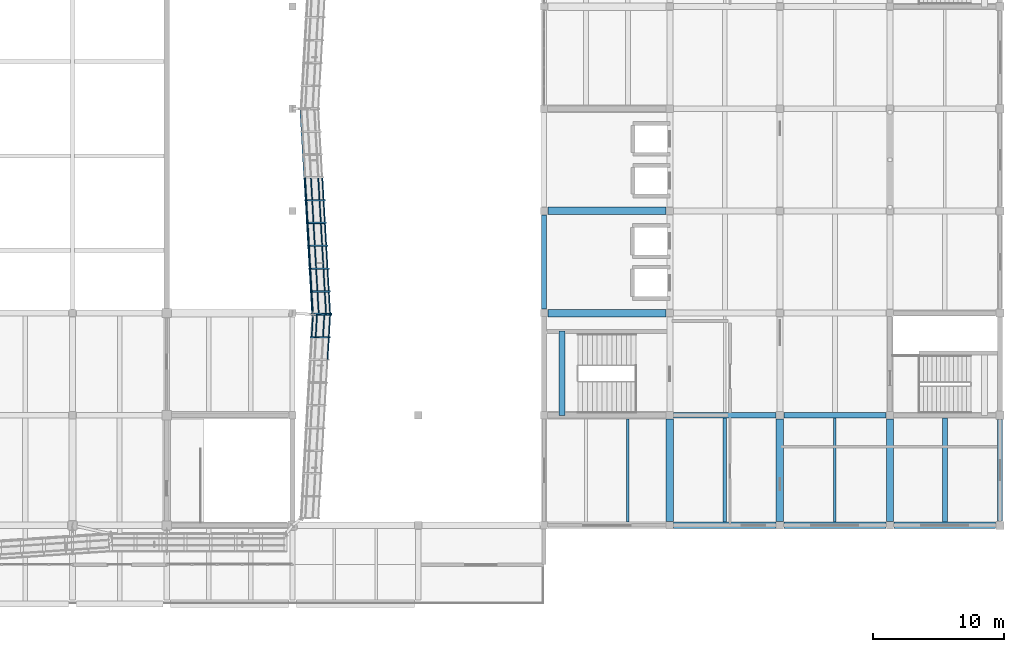
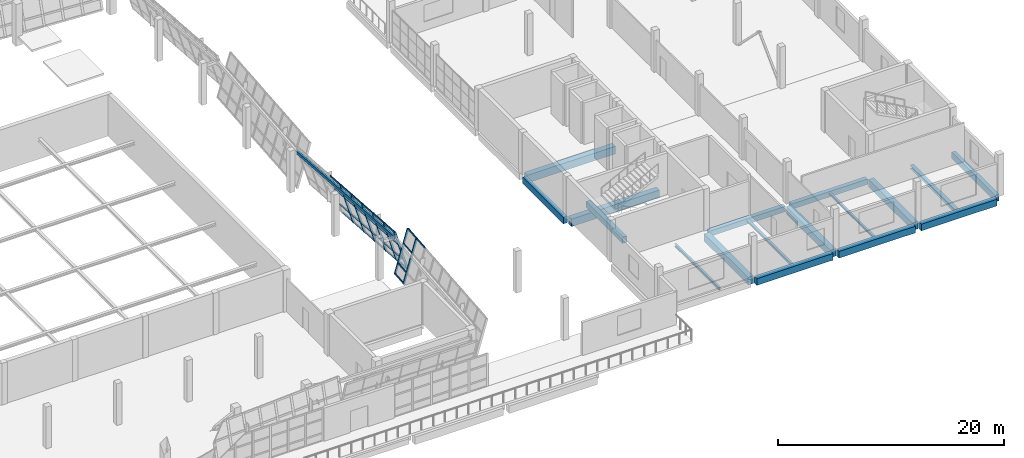
# One storey, part 19 of 67: 37 members, 18 beams, 2 elements without a shape of their own.
"""IFC4 building model written with IfcOpenShell, lengths in metres."""

from ifc_helpers import new_model, si_unit, direction, frame, origin, origin_2d, place, context, subcontext, project, spatial, rectangle, hollow_rectangle, i_section, extrude, material, material_profile, profile_set, type_object, element, aggregate, save


model = new_model("IFC4")

# Units and contexts
model_context = context("Model", 3, precision=1e-05, world=origin(), true_north=direction((0.0, 1.0)))
body_context = subcontext(model_context, "Body", "Model", "MODEL_VIEW")
ifc_project = project(units=[si_unit("LENGTHUNIT", "METRE"), si_unit("AREAUNIT", "SQUARE_METRE"), si_unit("VOLUMEUNIT", "CUBIC_METRE"), si_unit("PLANEANGLEUNIT", "RADIAN"), si_unit("MASSUNIT", "GRAM", prefix="KILO")], contexts=[model_context])

# Site, building, storey
site_placement = place(None, origin())
site = spatial("IfcSite", under=ifc_project, at=site_placement, CompositionType="ELEMENT")
building_placement = place(site_placement, origin())
building = spatial("IfcBuilding", under=site, at=building_placement, Name="Pellamere Symphony Hall", CompositionType="ELEMENT")
storey_placement = place(building_placement, frame((0.0, 0.0, 19.5)))
storey = spatial("IfcBuildingStorey", under=building, at=storey_placement, Name="L04", CompositionType="ELEMENT", Elevation=19.5)

# Curtain wall, members
ifc_material_1 = material(Name="Thermally Broken Anodised Aluminium 6063-T6 Curtain Wall", Category="aluminium")
curtain_wall_type = type_object("IfcCurtainWallType", Name="Curtain Wall CW-01 (Tilted Faceted Crystal Low-Iron Curtain Wall)", PredefinedType="NOTDEFINED", material=ifc_material_1)
curtain_wall_1_placement = place(storey_placement, origin())
curtain_wall_1 = element("IfcCurtainWall", 1, at=curtain_wall_1_placement, inside=storey, type_object=curtain_wall_type, Name="Crystal Faceted Curtain Wall CW-CR06 (L04)", PredefinedType="NOTDEFINED")
ifc_material_2 = material(Name="Anodised Architectural Aluminium 6063-T6", Category="aluminium")
ifc_material_profile_1 = material_profile(ifc_material_2, hollow_rectangle(XDim=0.074951171875, YDim=0.219970703125, WallThickness=0.0048828125, at=origin_2d()), Name="ALU-M75X220X5")
ifc_profile_set_1 = profile_set([ifc_material_profile_1], Name="Anodised Architectural Aluminium 6063-T6")
member_type_1 = type_object("IfcMemberType", Name="Curtain Wall Mullion ML-01 ALU-M75X220X5", PredefinedType="MULLION", material=ifc_profile_set_1)
member_1_placement = place(storey_placement, frame((120.25, 44.36669921875, 0.0), z_axis=(0.284024567884, 0.0, 0.95881700279), x_axis=(-0.055224537145, -0.998339941676, 0.01635883099)))
member_1 = element("IfcMember", 2, at=member_1_placement, type_object=member_type_1, Name="CW1-008 crystal mullion 9", PredefinedType="MULLION", context=body_context, shape_type="SweptSolid", body=[
    extrude(hollow_rectangle(XDim=0.074951171875, YDim=0.219970703125, WallThickness=0.0048828125, at=origin_2d()), origin(), (0.0, 0.0, 1.0), 4.693359375),
])
member_2_placement = place(storey_placement, frame((120.347900390625, 46.0625, 0.0), z_axis=(0.284024567884, 0.0, 0.95881700279), x_axis=(-0.055224537145, -0.998339941676, 0.01635883099)))
member_2 = element("IfcMember", 3, at=member_2_placement, type_object=member_type_1, Name="CW1-008 crystal mullion 10", PredefinedType="MULLION", context=body_context, shape_type="SweptSolid", body=[
    extrude(hollow_rectangle(XDim=0.074951171875, YDim=0.219970703125, WallThickness=0.0048828125, at=origin_2d()), origin(), (0.0, 0.0, 1.0), 4.693359375),
])

curtain_wall_2_placement = place(storey_placement, origin())
curtain_wall_2 = element("IfcCurtainWall", 4, at=curtain_wall_2_placement, inside=storey, type_object=curtain_wall_type, Name="Crystal Faceted Curtain Wall CW-CR07 (L04)", PredefinedType="NOTDEFINED")
member_3_placement = place(storey_placement, frame((121.680908203125, 46.137451171875, 0.0), z_axis=(-0.284024567884, 0.0, 0.95881700279), x_axis=(-0.054873944304, 0.99836096977, -0.016254976991)))
member_3 = element("IfcMember", 5, at=member_3_placement, type_object=member_type_1, Name="CW1-011 crystal mullion 1", PredefinedType="MULLION", context=body_context, shape_type="SweptSolid", body=[
    extrude(hollow_rectangle(XDim=0.074951171875, YDim=0.219970703125, WallThickness=0.0048828125, at=origin_2d()), origin(), (0.0, 0.0, 1.0), 4.693359375),
])
member_4_placement = place(storey_placement, frame((121.5830078125, 47.844482421875, 0.0), z_axis=(-0.284024567884, 0.0, 0.95881700279), x_axis=(-0.054873944304, 0.99836096977, -0.016254976991)))
member_4 = element("IfcMember", 6, at=member_4_placement, type_object=member_type_1, Name="CW1-011 crystal mullion 2", PredefinedType="MULLION", context=body_context, shape_type="SweptSolid", body=[
    extrude(hollow_rectangle(XDim=0.074951171875, YDim=0.219970703125, WallThickness=0.0048828125, at=origin_2d()), origin(), (0.0, 0.0, 1.0), 4.693359375),
])
member_5_placement = place(storey_placement, frame((121.48291015625, 49.5888671875, 0.0), z_axis=(-0.284024567884, 0.0, 0.95881700279), x_axis=(-0.054873944304, 0.99836096977, -0.016254976991)))
member_5 = element("IfcMember", 7, at=member_5_placement, type_object=member_type_1, Name="CW1-011 crystal mullion 3", PredefinedType="MULLION", context=body_context, shape_type="SweptSolid", body=[
    extrude(hollow_rectangle(XDim=0.074951171875, YDim=0.219970703125, WallThickness=0.0048828125, at=origin_2d()), origin(), (0.0, 0.0, 1.0), 4.693359375),
])
member_6_placement = place(storey_placement, frame((121.383056640625, 51.333251953125, 0.0), z_axis=(-0.284024567884, 0.0, 0.95881700279), x_axis=(-0.054873944304, 0.99836096977, -0.016254976991)))
member_6 = element("IfcMember", 8, at=member_6_placement, type_object=member_type_1, Name="CW1-011 crystal mullion 4", PredefinedType="MULLION", context=body_context, shape_type="SweptSolid", body=[
    extrude(hollow_rectangle(XDim=0.074951171875, YDim=0.219970703125, WallThickness=0.0048828125, at=origin_2d()), origin(), (0.0, 0.0, 1.0), 4.693359375),
])
member_7_placement = place(storey_placement, frame((121.282958984375, 53.077880859375, 0.0), z_axis=(-0.284024567884, 0.0, 0.95881700279), x_axis=(-0.054873944304, 0.99836096977, -0.016254976991)))
member_7 = element("IfcMember", 9, at=member_7_placement, type_object=member_type_1, Name="CW1-011 crystal mullion 5", PredefinedType="MULLION", context=body_context, shape_type="SweptSolid", body=[
    extrude(hollow_rectangle(XDim=0.074951171875, YDim=0.219970703125, WallThickness=0.0048828125, at=origin_2d()), origin(), (0.0, 0.0, 1.0), 4.693359375),
])
member_8_placement = place(storey_placement, frame((121.18310546875, 54.822265625, 0.0), z_axis=(-0.284024567884, 0.0, 0.95881700279), x_axis=(-0.054873944304, 0.99836096977, -0.016254976991)))
member_8 = element("IfcMember", 10, at=member_8_placement, type_object=member_type_1, Name="CW1-011 crystal mullion 6", PredefinedType="MULLION", context=body_context, shape_type="SweptSolid", body=[
    extrude(hollow_rectangle(XDim=0.074951171875, YDim=0.219970703125, WallThickness=0.0048828125, at=origin_2d()), origin(), (0.0, 0.0, 1.0), 4.693359375),
])

# Member
ifc_material_profile_2 = material_profile(ifc_material_2, hollow_rectangle(XDim=0.074951171875, YDim=0.179931640625, WallThickness=0.0048828125, at=origin_2d()), Name="ALU-T75X180X5")
ifc_profile_set_2 = profile_set([ifc_material_profile_2], Name="Anodised Architectural Aluminium 6063-T6")
member_type_2 = type_object("IfcMemberType", Name="Curtain Wall Transom TR-01 ALU-T75X180X5", PredefinedType="USERDEFINED", material=ifc_profile_set_2)
member_9_placement = place(storey_placement, frame((121.474609375, 42.670654296875, 4.464111328125), z_axis=(0.05745570945, 0.998348056267, 0.0), x_axis=(-0.998348056267, 0.05745570945, 0.0)))
member_9 = element("IfcMember", 11, at=member_9_placement, type_object=member_type_2, Name="CW1-008 crystal transom 8.4", ObjectType="TRANSOM", PredefinedType="USERDEFINED", context=body_context, shape_type="SweptSolid", body=[
    extrude(hollow_rectangle(XDim=0.074951171875, YDim=0.179931640625, WallThickness=0.0048828125, at=origin_2d()), origin(), (0.0, 0.0, 1.0), 1.661376953125),
])

member_10_placement = place(storey_placement, frame((120.2626953125, 44.404052734375, 0.035888671875), z_axis=(0.057734859862, 0.998331951786, 0.0), x_axis=(-0.998331951786, 0.057734859862, 0.0)))
member_10 = element("IfcMember", 12, at=member_10_placement, type_object=member_type_2, Name="CW1-008 crystal transom 9.1", ObjectType="TRANSOM", PredefinedType="USERDEFINED", context=body_context, shape_type="SweptSolid", body=[
    extrude(hollow_rectangle(XDim=0.074951171875, YDim=0.179931640625, WallThickness=0.0048828125, at=origin_2d()), origin(), (0.0, 0.0, 1.0), 1.623779296875),
])

member_11_placement = place(storey_placement, frame((120.572021484375, 44.404052734375, 1.080078125), z_axis=(0.057585007883, 0.99834060664, 0.0), x_axis=(-0.99834060664, 0.057585007883, 0.0)))
member_11 = element("IfcMember", 13, at=member_11_placement, type_object=member_type_2, Name="CW1-008 crystal transom 9.2", ObjectType="TRANSOM", PredefinedType="USERDEFINED", context=body_context, shape_type="SweptSolid", body=[
    extrude(hollow_rectangle(XDim=0.074951171875, YDim=0.179931640625, WallThickness=0.0048828125, at=origin_2d()), origin(), (0.0, 0.0, 1.0), 1.623779296875),
])

member_12_placement = place(storey_placement, frame((121.1318359375, 44.404052734375, 2.969970703125), z_axis=(0.057585007883, 0.99834060664, 0.0), x_axis=(-0.99834060664, 0.057585007883, 0.0)))
member_12 = element("IfcMember", 14, at=member_12_placement, type_object=member_type_2, Name="CW1-008 crystal transom 9.3", ObjectType="TRANSOM", PredefinedType="USERDEFINED", context=body_context, shape_type="SweptSolid", body=[
    extrude(hollow_rectangle(XDim=0.074951171875, YDim=0.179931640625, WallThickness=0.0048828125, at=origin_2d()), origin(), (0.0, 0.0, 1.0), 1.623779296875),
])

member_13_placement = place(storey_placement, frame((121.574462890625, 44.404052734375, 4.464111328125), z_axis=(0.057585007883, 0.99834060664, 0.0), x_axis=(-0.99834060664, 0.057585007883, 0.0)))
member_13 = element("IfcMember", 15, at=member_13_placement, type_object=member_type_2, Name="CW1-008 crystal transom 9.4", ObjectType="TRANSOM", PredefinedType="USERDEFINED", context=body_context, shape_type="SweptSolid", body=[
    extrude(hollow_rectangle(XDim=0.074951171875, YDim=0.179931640625, WallThickness=0.0048828125, at=origin_2d()), origin(), (0.0, 0.0, 1.0), 1.623779296875),
])

aggregate(curtain_wall_1, [member_1, member_2, member_9, member_10, member_11, member_12, member_13])

member_14_placement = place(storey_placement, frame((121.66796875, 46.1748046875, 0.035888671875), z_axis=(-0.057198647566, 0.998362817175, 0.0), x_axis=(-0.998362817175, -0.057198647566, 0.0)))
member_14 = element("IfcMember", 16, at=member_14_placement, type_object=member_type_2, Name="CW1-011 crystal transom 1.1", ObjectType="TRANSOM", PredefinedType="USERDEFINED", context=body_context, shape_type="SweptSolid", body=[
    extrude(hollow_rectangle(XDim=0.074951171875, YDim=0.179931640625, WallThickness=0.0048828125, at=origin_2d()), origin(), (0.0, 0.0, 1.0), 1.634765625),
])

member_15_placement = place(storey_placement, frame((121.35888671875, 46.1748046875, 1.080078125), z_axis=(-0.057347500779, 0.998354277877, 0.0), x_axis=(-0.998354277877, -0.057347500779, 0.0)))
member_15 = element("IfcMember", 17, at=member_15_placement, type_object=member_type_2, Name="CW1-011 crystal transom 1.2", ObjectType="TRANSOM", PredefinedType="USERDEFINED", context=body_context, shape_type="SweptSolid", body=[
    extrude(hollow_rectangle(XDim=0.074951171875, YDim=0.179931640625, WallThickness=0.0048828125, at=origin_2d()), origin(), (0.0, 0.0, 1.0), 1.634765625),
])

member_16_placement = place(storey_placement, frame((120.798828125, 46.1748046875, 2.969970703125), z_axis=(-0.057198647566, 0.998362817175, 0.0), x_axis=(-0.998362817175, -0.057198647566, 0.0)))
member_16 = element("IfcMember", 18, at=member_16_placement, type_object=member_type_2, Name="CW1-011 crystal transom 1.3", ObjectType="TRANSOM", PredefinedType="USERDEFINED", context=body_context, shape_type="SweptSolid", body=[
    extrude(hollow_rectangle(XDim=0.074951171875, YDim=0.179931640625, WallThickness=0.0048828125, at=origin_2d()), origin(), (0.0, 0.0, 1.0), 1.634765625),
])

member_17_placement = place(storey_placement, frame((120.3564453125, 46.1748046875, 4.464111328125), z_axis=(-0.057347500779, 0.998354277877, 0.0), x_axis=(-0.998354277877, -0.057347500779, 0.0)))
member_17 = element("IfcMember", 19, at=member_17_placement, type_object=member_type_2, Name="CW1-011 crystal transom 1.4", ObjectType="TRANSOM", PredefinedType="USERDEFINED", context=body_context, shape_type="SweptSolid", body=[
    extrude(hollow_rectangle(XDim=0.074951171875, YDim=0.179931640625, WallThickness=0.0048828125, at=origin_2d()), origin(), (0.0, 0.0, 1.0), 1.634765625),
])

member_18_placement = place(storey_placement, frame((121.5703125, 47.8818359375, 0.035888671875), z_axis=(-0.057224396245, 0.998361341637, 0.0), x_axis=(-0.998361341637, -0.057224396245, 0.0)))
member_18 = element("IfcMember", 20, at=member_18_placement, type_object=member_type_2, Name="CW1-011 crystal transom 2.1", ObjectType="TRANSOM", PredefinedType="USERDEFINED", context=body_context, shape_type="SweptSolid", body=[
    extrude(hollow_rectangle(XDim=0.074951171875, YDim=0.179931640625, WallThickness=0.0048828125, at=origin_2d()), origin(), (0.0, 0.0, 1.0), 1.67236328125),
])

member_19_placement = place(storey_placement, frame((121.260986328125, 47.8818359375, 1.080078125), z_axis=(-0.057224396245, 0.998361341637, 0.0), x_axis=(-0.998361341637, -0.057224396245, 0.0)))
member_19 = element("IfcMember", 21, at=member_19_placement, type_object=member_type_2, Name="CW1-011 crystal transom 2.2", ObjectType="TRANSOM", PredefinedType="USERDEFINED", context=body_context, shape_type="SweptSolid", body=[
    extrude(hollow_rectangle(XDim=0.074951171875, YDim=0.179931640625, WallThickness=0.0048828125, at=origin_2d()), origin(), (0.0, 0.0, 1.0), 1.67236328125),
])

member_20_placement = place(storey_placement, frame((120.701171875, 47.8818359375, 2.969970703125), z_axis=(-0.057224396245, 0.998361341637, 0.0), x_axis=(-0.998361341637, -0.057224396245, 0.0)))
member_20 = element("IfcMember", 22, at=member_20_placement, type_object=member_type_2, Name="CW1-011 crystal transom 2.3", ObjectType="TRANSOM", PredefinedType="USERDEFINED", context=body_context, shape_type="SweptSolid", body=[
    extrude(hollow_rectangle(XDim=0.074951171875, YDim=0.179931640625, WallThickness=0.0048828125, at=origin_2d()), origin(), (0.0, 0.0, 1.0), 1.67236328125),
])

member_21_placement = place(storey_placement, frame((120.258544921875, 47.8818359375, 4.464111328125), z_axis=(-0.057224396245, 0.998361341637, 0.0), x_axis=(-0.998361341637, -0.057224396245, 0.0)))
member_21 = element("IfcMember", 23, at=member_21_placement, type_object=member_type_2, Name="CW1-011 crystal transom 2.4", ObjectType="TRANSOM", PredefinedType="USERDEFINED", context=body_context, shape_type="SweptSolid", body=[
    extrude(hollow_rectangle(XDim=0.074951171875, YDim=0.179931640625, WallThickness=0.0048828125, at=origin_2d()), origin(), (0.0, 0.0, 1.0), 1.67236328125),
])

member_22_placement = place(storey_placement, frame((121.47021484375, 49.626220703125, 0.035888671875), z_axis=(-0.057224396245, 0.998361341637, 0.0), x_axis=(-0.998361341637, -0.057224396245, 0.0)))
member_22 = element("IfcMember", 24, at=member_22_placement, type_object=member_type_2, Name="CW1-011 crystal transom 3.1", ObjectType="TRANSOM", PredefinedType="USERDEFINED", context=body_context, shape_type="SweptSolid", body=[
    extrude(hollow_rectangle(XDim=0.074951171875, YDim=0.179931640625, WallThickness=0.0048828125, at=origin_2d()), origin(), (0.0, 0.0, 1.0), 1.67236328125),
])

member_23_placement = place(storey_placement, frame((121.160888671875, 49.626220703125, 1.080078125), z_axis=(-0.057224396245, 0.998361341637, 0.0), x_axis=(-0.998361341637, -0.057224396245, 0.0)))
member_23 = element("IfcMember", 25, at=member_23_placement, type_object=member_type_2, Name="CW1-011 crystal transom 3.2", ObjectType="TRANSOM", PredefinedType="USERDEFINED", context=body_context, shape_type="SweptSolid", body=[
    extrude(hollow_rectangle(XDim=0.074951171875, YDim=0.179931640625, WallThickness=0.0048828125, at=origin_2d()), origin(), (0.0, 0.0, 1.0), 1.67236328125),
])

member_24_placement = place(storey_placement, frame((120.60107421875, 49.626220703125, 2.969970703125), z_axis=(-0.057224396245, 0.998361341637, 0.0), x_axis=(-0.998361341637, -0.057224396245, 0.0)))
member_24 = element("IfcMember", 26, at=member_24_placement, type_object=member_type_2, Name="CW1-011 crystal transom 3.3", ObjectType="TRANSOM", PredefinedType="USERDEFINED", context=body_context, shape_type="SweptSolid", body=[
    extrude(hollow_rectangle(XDim=0.074951171875, YDim=0.179931640625, WallThickness=0.0048828125, at=origin_2d()), origin(), (0.0, 0.0, 1.0), 1.67236328125),
])

member_25_placement = place(storey_placement, frame((120.158447265625, 49.626220703125, 4.464111328125), z_axis=(-0.057224396245, 0.998361341637, 0.0), x_axis=(-0.998361341637, -0.057224396245, 0.0)))
member_25 = element("IfcMember", 27, at=member_25_placement, type_object=member_type_2, Name="CW1-011 crystal transom 3.4", ObjectType="TRANSOM", PredefinedType="USERDEFINED", context=body_context, shape_type="SweptSolid", body=[
    extrude(hollow_rectangle(XDim=0.074951171875, YDim=0.179931640625, WallThickness=0.0048828125, at=origin_2d()), origin(), (0.0, 0.0, 1.0), 1.67236328125),
])

member_26_placement = place(storey_placement, frame((121.3701171875, 51.370849609375, 0.035888671875), z_axis=(-0.057232737422, 0.998360863499, 0.0), x_axis=(-0.998360863499, -0.057232737422, 0.0)))
member_26 = element("IfcMember", 28, at=member_26_placement, type_object=member_type_2, Name="CW1-011 crystal transom 4.1", ObjectType="TRANSOM", PredefinedType="USERDEFINED", context=body_context, shape_type="SweptSolid", body=[
    extrude(hollow_rectangle(XDim=0.074951171875, YDim=0.179931640625, WallThickness=0.0048828125, at=origin_2d()), origin(), (0.0, 0.0, 1.0), 1.672119140625),
])

member_27_placement = place(storey_placement, frame((121.06103515625, 51.370849609375, 1.080078125), z_axis=(-0.057232737422, 0.998360863499, 0.0), x_axis=(-0.998360863499, -0.057232737422, 0.0)))
member_27 = element("IfcMember", 29, at=member_27_placement, type_object=member_type_2, Name="CW1-011 crystal transom 4.2", ObjectType="TRANSOM", PredefinedType="USERDEFINED", context=body_context, shape_type="SweptSolid", body=[
    extrude(hollow_rectangle(XDim=0.074951171875, YDim=0.179931640625, WallThickness=0.0048828125, at=origin_2d()), origin(), (0.0, 0.0, 1.0), 1.672119140625),
])

member_28_placement = place(storey_placement, frame((120.5009765625, 51.370849609375, 2.969970703125), z_axis=(-0.057232737422, 0.998360863499, 0.0), x_axis=(-0.998360863499, -0.057232737422, 0.0)))
member_28 = element("IfcMember", 30, at=member_28_placement, type_object=member_type_2, Name="CW1-011 crystal transom 4.3", ObjectType="TRANSOM", PredefinedType="USERDEFINED", context=body_context, shape_type="SweptSolid", body=[
    extrude(hollow_rectangle(XDim=0.074951171875, YDim=0.179931640625, WallThickness=0.0048828125, at=origin_2d()), origin(), (0.0, 0.0, 1.0), 1.672119140625),
])

member_29_placement = place(storey_placement, frame((120.05859375, 51.370849609375, 4.464111328125), z_axis=(-0.057232737422, 0.998360863499, 0.0), x_axis=(-0.998360863499, -0.057232737422, 0.0)))
member_29 = element("IfcMember", 31, at=member_29_placement, type_object=member_type_2, Name="CW1-011 crystal transom 4.4", ObjectType="TRANSOM", PredefinedType="USERDEFINED", context=body_context, shape_type="SweptSolid", body=[
    extrude(hollow_rectangle(XDim=0.074951171875, YDim=0.179931640625, WallThickness=0.0048828125, at=origin_2d()), origin(), (0.0, 0.0, 1.0), 1.672119140625),
])

member_30_placement = place(storey_placement, frame((121.270263671875, 53.115234375, 0.035888671875), z_axis=(-0.057232737422, 0.998360863499, 0.0), x_axis=(-0.998360863499, -0.057232737422, 0.0)))
member_30 = element("IfcMember", 32, at=member_30_placement, type_object=member_type_2, Name="CW1-011 crystal transom 5.1", ObjectType="TRANSOM", PredefinedType="USERDEFINED", context=body_context, shape_type="SweptSolid", body=[
    extrude(hollow_rectangle(XDim=0.074951171875, YDim=0.179931640625, WallThickness=0.0048828125, at=origin_2d()), origin(), (0.0, 0.0, 1.0), 1.672119140625),
])

member_31_placement = place(storey_placement, frame((120.9609375, 53.115234375, 1.080078125), z_axis=(-0.057232737422, 0.998360863499, 0.0), x_axis=(-0.998360863499, -0.057232737422, 0.0)))
member_31 = element("IfcMember", 33, at=member_31_placement, type_object=member_type_2, Name="CW1-011 crystal transom 5.2", ObjectType="TRANSOM", PredefinedType="USERDEFINED", context=body_context, shape_type="SweptSolid", body=[
    extrude(hollow_rectangle(XDim=0.074951171875, YDim=0.179931640625, WallThickness=0.0048828125, at=origin_2d()), origin(), (0.0, 0.0, 1.0), 1.672119140625),
])

member_32_placement = place(storey_placement, frame((120.401123046875, 53.115234375, 2.969970703125), z_axis=(-0.057232737422, 0.998360863499, 0.0), x_axis=(-0.998360863499, -0.057232737422, 0.0)))
member_32 = element("IfcMember", 34, at=member_32_placement, type_object=member_type_2, Name="CW1-011 crystal transom 5.3", ObjectType="TRANSOM", PredefinedType="USERDEFINED", context=body_context, shape_type="SweptSolid", body=[
    extrude(hollow_rectangle(XDim=0.074951171875, YDim=0.179931640625, WallThickness=0.0048828125, at=origin_2d()), origin(), (0.0, 0.0, 1.0), 1.672119140625),
])

member_33_placement = place(storey_placement, frame((119.95849609375, 53.115234375, 4.464111328125), z_axis=(-0.057232737422, 0.998360863499, 0.0), x_axis=(-0.998360863499, -0.057232737422, 0.0)))
member_33 = element("IfcMember", 35, at=member_33_placement, type_object=member_type_2, Name="CW1-011 crystal transom 5.4", ObjectType="TRANSOM", PredefinedType="USERDEFINED", context=body_context, shape_type="SweptSolid", body=[
    extrude(hollow_rectangle(XDim=0.074951171875, YDim=0.179931640625, WallThickness=0.0048828125, at=origin_2d()), origin(), (0.0, 0.0, 1.0), 1.672119140625),
])

member_34_placement = place(storey_placement, frame((121.170166015625, 54.859619140625, 0.035888671875), z_axis=(-0.057224396245, 0.998361341637, 0.0), x_axis=(-0.998361341637, -0.057224396245, 0.0)))
member_34 = element("IfcMember", 36, at=member_34_placement, type_object=member_type_2, Name="CW1-011 crystal transom 6.1", ObjectType="TRANSOM", PredefinedType="USERDEFINED", context=body_context, shape_type="SweptSolid", body=[
    extrude(hollow_rectangle(XDim=0.074951171875, YDim=0.179931640625, WallThickness=0.0048828125, at=origin_2d()), origin(), (0.0, 0.0, 1.0), 1.67236328125),
])

member_35_placement = place(storey_placement, frame((120.86083984375, 54.859619140625, 1.080078125), z_axis=(-0.057224396245, 0.998361341637, 0.0), x_axis=(-0.998361341637, -0.057224396245, 0.0)))
member_35 = element("IfcMember", 37, at=member_35_placement, type_object=member_type_2, Name="CW1-011 crystal transom 6.2", ObjectType="TRANSOM", PredefinedType="USERDEFINED", context=body_context, shape_type="SweptSolid", body=[
    extrude(hollow_rectangle(XDim=0.074951171875, YDim=0.179931640625, WallThickness=0.0048828125, at=origin_2d()), origin(), (0.0, 0.0, 1.0), 1.67236328125),
])

member_36_placement = place(storey_placement, frame((120.301025390625, 54.859619140625, 2.969970703125), z_axis=(-0.057224396245, 0.998361341637, 0.0), x_axis=(-0.998361341637, -0.057224396245, 0.0)))
member_36 = element("IfcMember", 38, at=member_36_placement, type_object=member_type_2, Name="CW1-011 crystal transom 6.3", ObjectType="TRANSOM", PredefinedType="USERDEFINED", context=body_context, shape_type="SweptSolid", body=[
    extrude(hollow_rectangle(XDim=0.074951171875, YDim=0.179931640625, WallThickness=0.0048828125, at=origin_2d()), origin(), (0.0, 0.0, 1.0), 1.67236328125),
])

member_37_placement = place(storey_placement, frame((119.8583984375, 54.859619140625, 4.464111328125), z_axis=(-0.057224396245, 0.998361341637, 0.0), x_axis=(-0.998361341637, -0.057224396245, 0.0)))
member_37 = element("IfcMember", 39, at=member_37_placement, type_object=member_type_2, Name="CW1-011 crystal transom 6.4", ObjectType="TRANSOM", PredefinedType="USERDEFINED", context=body_context, shape_type="SweptSolid", body=[
    extrude(hollow_rectangle(XDim=0.074951171875, YDim=0.179931640625, WallThickness=0.0048828125, at=origin_2d()), origin(), (0.0, 0.0, 1.0), 1.67236328125),
])

aggregate(curtain_wall_2, [member_3, member_4, member_5, member_6, member_7, member_8, member_14, member_15, member_16, member_17, member_18, member_19, member_20, member_21, member_22, member_23, member_24, member_25, member_26, member_27, member_28, member_29, member_30, member_31, member_32, member_33, member_34, member_35, member_36, member_37])

# Beams
ifc_material_3 = material(Name="Concrete 40 MPa", Category="concrete")
ifc_material_profile_3 = material_profile(ifc_material_3, rectangle(XDim=0.550048828125, YDim=0.800048828125, at=origin_2d()), Name="RC 550x800")
ifc_profile_set_3 = profile_set([ifc_material_profile_3], Name="Concrete 40 MPa")
beam_type_1 = type_object("IfcBeamType", Name="RC CB-05 550x800", PredefinedType="BEAM", material=ifc_profile_set_3)
for number, where, z_axis, x_axis, name in (
    (40, (147.60009765625, 30.300048828125, -0.659912109375), (0.0, 1.0, 0.0), (-1.0, 0.0, 0.0), "Girder CB-05-Y1916 (L04)"),
    (41, (156.0, 30.300048828125, -0.659912109375), (0.0, 1.0, 0.0), (-1.0, 0.0, 0.0), "Girder CB-05-Y1923 (L04)"),
    (42, (164.39990234375, 30.300048828125, -0.659912109375), (0.0, 1.0, 0.0), (-1.0, 0.0, 0.0), "Girder CB-05-Y1930 (L04)"),
):
    element("IfcBeam", number, at=place(storey_placement, frame(where, z_axis=z_axis, x_axis=x_axis)), inside=storey, type_object=beam_type_1, Name=name, PredefinedType="BEAM", context=body_context, shape_type="SweptSolid", body=[
        extrude(rectangle(XDim=0.550048828125, YDim=0.800048828125, at=origin_2d()), origin(), (0.0, 0.0, 1.0), 7.800048828125),
    ])
ifc_material_profile_4 = material_profile(ifc_material_3, rectangle(XDim=0.449951171875, YDim=0.64990234375, at=origin_2d()), Name="RC 450x650")
ifc_profile_set_4 = profile_set([ifc_material_profile_4], Name="Concrete 40 MPa")
beam_type_2 = type_object("IfcBeamType", Name="RC CB-08 450x650", PredefinedType="BEAM", material=ifc_profile_set_4)
beam_1_placement = place(storey_placement, frame((139.367431640625, 38.3798828125, 1.705078125), z_axis=(0.0, 1.0, 0.0), x_axis=(-1.0, 0.0, 0.0)))
element("IfcBeam", 43, at=beam_1_placement, inside=storey, type_object=beam_type_2, Name="Stair ST02-L04 Half Landing Support Beam (L04)", PredefinedType="BEAM", context=body_context, shape_type="SweptSolid", body=[
    extrude(rectangle(XDim=0.449951171875, YDim=0.64990234375, at=origin_2d()), origin(), (0.0, 0.0, 1.0), 6.440185546875),
])
ifc_material_profile_5 = material_profile(ifc_material_3, rectangle(XDim=0.39990234375, YDim=0.699951171875, at=origin_2d()), Name="RC 400x700")
ifc_profile_set_5 = profile_set([ifc_material_profile_5], Name="Concrete 40 MPa")
beam_type_3 = type_object("IfcBeamType", Name="RC CB-13 400x700", PredefinedType="SPANDREL", material=ifc_profile_set_5)
beam_2_placement = place(storey_placement, frame((138.0, 46.5, -0.610107421875), z_axis=(0.0, 1.0, 0.0), x_axis=(-1.0, 0.0, 0.0)))
element("IfcBeam", 44, at=beam_2_placement, inside=storey, type_object=beam_type_3, Name="Girder CB-13-Y1911 (L04)", PredefinedType="SPANDREL", context=body_context, shape_type="SweptSolid", body=[
    extrude(rectangle(XDim=0.39990234375, YDim=0.699951171875, at=origin_2d()), origin(), (0.0, 0.0, 1.0), 7.199951171875),
])
beam_3_placement = place(storey_placement, frame((172.800048828125, 30.340087890625, -0.610107421875), z_axis=(0.0, 1.0, 0.0), x_axis=(-1.0, 0.0, 0.0)))
element("IfcBeam", 45, at=beam_3_placement, inside=storey, type_object=beam_type_3, Name="Girder CB-13-Y1937 (L04)", PredefinedType="SPANDREL", context=body_context, shape_type="SweptSolid", body=[
    extrude(rectangle(XDim=0.39990234375, YDim=0.699951171875, at=origin_2d()), origin(), (0.0, 0.0, 1.0), 7.719970703125),
])
ifc_material_profile_6 = material_profile(ifc_material_3, rectangle(XDim=0.47998046875, YDim=0.719970703125, at=origin_2d()), Name="RC 480x720")
ifc_profile_set_6 = profile_set([ifc_material_profile_6], Name="Concrete 40 MPa")
beam_type_4 = type_object("IfcBeamType", Name="RC CB-14 480x720", PredefinedType="SPANDREL", material=ifc_profile_set_6)
for number, where, z_axis, x_axis, name in (
    (46, (147.89990234375, 30.0, -0.6201171875), (1.0, 0.0, 0.0), (0.0, 1.0, 0.0), "Girder CB-14-X1815 (L04)"),
    (47, (156.300048828125, 30.0, -0.6201171875), (1.0, 0.0, 0.0), (0.0, 1.0, 0.0), "Girder CB-14-X1816 (L04)"),
):
    element("IfcBeam", number, at=place(storey_placement, frame(where, z_axis=z_axis, x_axis=x_axis)), inside=storey, type_object=beam_type_4, Name=name, PredefinedType="SPANDREL", context=body_context, shape_type="SweptSolid", body=[
        extrude(rectangle(XDim=0.47998046875, YDim=0.719970703125, at=origin_2d()), origin(), (0.0, 0.0, 1.0), 7.800048828125),
    ])
beam_4_placement = place(storey_placement, frame((164.699951171875, 30.0, -0.6201171875), z_axis=(1.0, 0.0, 0.0), x_axis=(0.0, 1.0, 0.0)))
element("IfcBeam", 48, at=beam_4_placement, inside=storey, type_object=beam_type_4, Name="Girder CB-14-X1817 (L04)", PredefinedType="SPANDREL", context=body_context, shape_type="SweptSolid", body=[
    extrude(rectangle(XDim=0.47998046875, YDim=0.719970703125, at=origin_2d()), origin(), (0.0, 0.0, 1.0), 7.760009765625),
])
ifc_material_profile_7 = material_profile(ifc_material_3, rectangle(XDim=0.580078125, YDim=0.820068359375, at=origin_2d()), Name="RC 580x820")
ifc_profile_set_7 = profile_set([ifc_material_profile_7], Name="Concrete 40 MPa")
beam_type_5 = type_object("IfcBeamType", Name="RC CB-15 580x820", PredefinedType="BEAM", material=ifc_profile_set_7)
for number, where, z_axis, x_axis, name in (
    (49, (138.300048828125, 46.199951171875, -0.669921875), (1.0, 0.0, 0.0), (0.0, 1.0, 0.0), "Girder CB-15-X1840 (L04)"),
    (50, (138.300048828125, 54.0, -0.669921875), (1.0, 0.0, 0.0), (0.0, 1.0, 0.0), "Girder CB-15-X1845 (L04)"),
):
    element("IfcBeam", number, at=place(storey_placement, frame(where, z_axis=z_axis, x_axis=x_axis)), inside=storey, type_object=beam_type_5, Name=name, PredefinedType="BEAM", context=body_context, shape_type="SweptSolid", body=[
        extrude(rectangle(XDim=0.580078125, YDim=0.820068359375, at=origin_2d()), origin(), (0.0, 0.0, 1.0), 9.0),
    ])
ifc_material_profile_8 = material_profile(ifc_material_3, rectangle(XDim=0.43994140625, YDim=0.580078125, at=origin_2d()), Name="RC 440x580")
ifc_profile_set_8 = profile_set([ifc_material_profile_8], Name="Concrete 40 MPa")
beam_type_6 = type_object("IfcBeamType", Name="RC CB-20 440x580", PredefinedType="BEAM", material=ifc_profile_set_8)
for number, where, z_axis, x_axis, name in (
    (51, (147.89990234375, 38.39990234375, -0.550048828125), (1.0, 0.0, 0.0), (0.0, 1.0, 0.0), "Girder CB-20-X1828 (L04)"),
    (52, (156.300048828125, 38.39990234375, -0.550048828125), (1.0, 0.0, 0.0), (0.0, 1.0, 0.0), "Girder CB-20-X1829 (L04)"),
):
    element("IfcBeam", number, at=place(storey_placement, frame(where, z_axis=z_axis, x_axis=x_axis)), inside=storey, type_object=beam_type_6, Name=name, PredefinedType="BEAM", context=body_context, shape_type="SweptSolid", body=[
        extrude(rectangle(XDim=0.43994140625, YDim=0.580078125, at=origin_2d()), origin(), (0.0, 0.0, 1.0), 7.800048828125),
    ])
ifc_material_4 = material(Name="Steel CSA G40.21 350W", Category="steel")
ifc_material_profile_9 = material_profile(ifc_material_4, i_section(OverallWidth=0.3740234375, OverallDepth=0.3720703125, WebThickness=0.016357421875, FlangeThickness=0.026123046875, at=origin_2d()), Name="W360X196")
ifc_profile_set_9 = profile_set([ifc_material_profile_9], Name="Steel CSA G40.21 350W")
beam_type_7 = type_object("IfcBeamType", Name="Steel Beam SB-27 W360X196", PredefinedType="BEAM", material=ifc_profile_set_9)
beam_5_placement = place(storey_placement, frame((168.60009765625, 30.239990234375, -0.4609375), z_axis=(0.0, 1.0, 0.0), x_axis=(-1.0, 0.0, 0.0)))
element("IfcBeam", 53, at=beam_5_placement, inside=storey, type_object=beam_type_7, Name="Secondary Floor Beam SB-27-M2004 (L04)", PredefinedType="BEAM", context=body_context, shape_type="SweptSolid", body=[
    extrude(i_section(OverallWidth=0.3740234375, OverallDepth=0.3720703125, WebThickness=0.016357421875, FlangeThickness=0.026123046875, at=origin_2d()), origin(), (0.0, 0.0, 1.0), 7.93994140625),
])
ifc_material_profile_10 = material_profile(ifc_material_4, i_section(OverallWidth=0.202880859375, OverallDepth=0.302978515625, WebThickness=0.007568359375, FlangeThickness=0.01318359375, at=origin_2d()), Name="W310X60")
ifc_profile_set_10 = profile_set([ifc_material_profile_10], Name="Steel CSA G40.21 350W")
beam_type_8 = type_object("IfcBeamType", Name="Steel Joist SB-23 W310X60", PredefinedType="JOIST", material=ifc_profile_set_10)
beam_6_placement = place(storey_placement, frame((144.39990234375, 30.239990234375, -0.426513671875), z_axis=(0.0, 1.0, 0.0), x_axis=(-1.0, 0.0, 0.0)))
element("IfcBeam", 54, at=beam_6_placement, inside=storey, type_object=beam_type_8, Name="Secondary Floor Beam SB-23-B1704 (L04)", PredefinedType="JOIST", context=body_context, shape_type="SweptSolid", body=[
    extrude(i_section(OverallWidth=0.202880859375, OverallDepth=0.302978515625, WebThickness=0.007568359375, FlangeThickness=0.01318359375, at=origin_2d()), origin(), (0.0, 0.0, 1.0), 7.8701171875),
])
ifc_material_profile_11 = material_profile(ifc_material_4, i_section(OverallWidth=0.25390625, OverallDepth=0.2529296875, WebThickness=0.008544921875, FlangeThickness=0.01416015625, at=origin_2d()), Name="W250X73")
ifc_profile_set_11 = profile_set([ifc_material_profile_11], Name="Steel CSA G40.21 350W")
beam_type_9 = type_object("IfcBeamType", Name="Steel Joist SB-24 W250X73", PredefinedType="JOIST", material=ifc_profile_set_11)
beam_7_placement = place(storey_placement, frame((151.800048828125, 30.239990234375, -0.401611328125), z_axis=(0.0, 1.0, 0.0), x_axis=(-1.0, 0.0, 0.0)))
element("IfcBeam", 55, at=beam_7_placement, inside=storey, type_object=beam_type_9, Name="Secondary Floor Beam SB-24-M1804 (L04)", PredefinedType="JOIST", context=body_context, shape_type="SweptSolid", body=[
    extrude(i_section(OverallWidth=0.25390625, OverallDepth=0.2529296875, WebThickness=0.008544921875, FlangeThickness=0.01416015625, at=origin_2d()), origin(), (0.0, 0.0, 1.0), 7.93994140625),
])
ifc_material_profile_12 = material_profile(ifc_material_4, i_section(OverallWidth=0.201904296875, OverallDepth=0.2470703125, WebThickness=0.00732421875, FlangeThickness=0.010986328125, at=origin_2d()), Name="W250X49")
ifc_profile_set_12 = profile_set([ifc_material_profile_12], Name="Steel CSA G40.21 350W")
beam_type_10 = type_object("IfcBeamType", Name="Steel Joist SB-25 W250X49", PredefinedType="JOIST", material=ifc_profile_set_12)
beam_8_placement = place(storey_placement, frame((160.199951171875, 30.239990234375, -0.3984375), z_axis=(0.0, 1.0, 0.0), x_axis=(-1.0, 0.0, 0.0)))
element("IfcBeam", 56, at=beam_8_placement, inside=storey, type_object=beam_type_10, Name="Secondary Floor Beam SB-25-M1904 (L04)", PredefinedType="JOIST", context=body_context, shape_type="SweptSolid", body=[
    extrude(i_section(OverallWidth=0.201904296875, OverallDepth=0.2470703125, WebThickness=0.00732421875, FlangeThickness=0.010986328125, at=origin_2d()), origin(), (0.0, 0.0, 1.0), 7.93994140625),
])
ifc_material_profile_13 = material_profile(ifc_material_4, hollow_rectangle(XDim=0.203125, YDim=0.3046875, WallThickness=0.0126953125, at=origin_2d()), Name="HSS305X203X13")
ifc_profile_set_13 = profile_set([ifc_material_profile_13], Name="Steel CSA G40.21 350W")
beam_type_11 = type_object("IfcBeamType", Name="Steel Spandrel SB-26 HSS305X203X13", PredefinedType="SPANDREL", material=ifc_profile_set_13)
beam_9_placement = place(storey_placement, frame((120.35009765625, 46.10009765625, 3.93994140625), z_axis=(-0.057240345461, 0.998360427326, 0.0), x_axis=(-0.998360427326, -0.057240345461, 0.0)))
element("IfcBeam", 57, at=beam_9_placement, inside=storey, type_object=beam_type_11, Name="Crystal Perimeter Ring Beam CW-CR07 (L04)", PredefinedType="SPANDREL", context=body_context, shape_type="SweptSolid", body=[
    extrude(hollow_rectangle(XDim=0.203125, YDim=0.3046875, WallThickness=0.0126953125, at=origin_2d()), origin(), (0.0, 0.0, 1.0), 15.725830078125),
])

save(model, "model.ifc")
